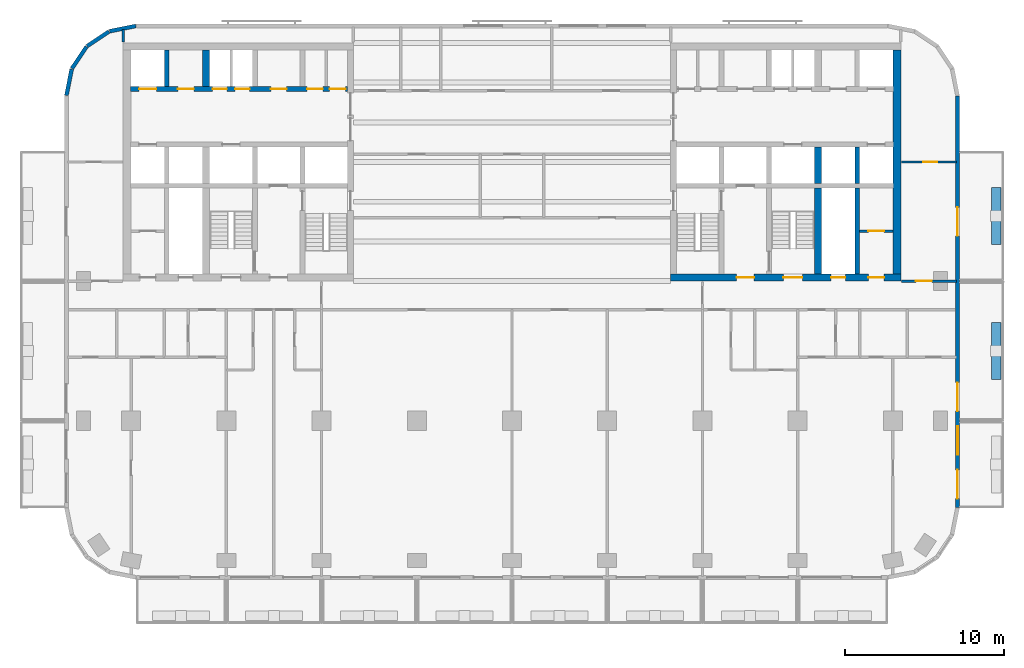
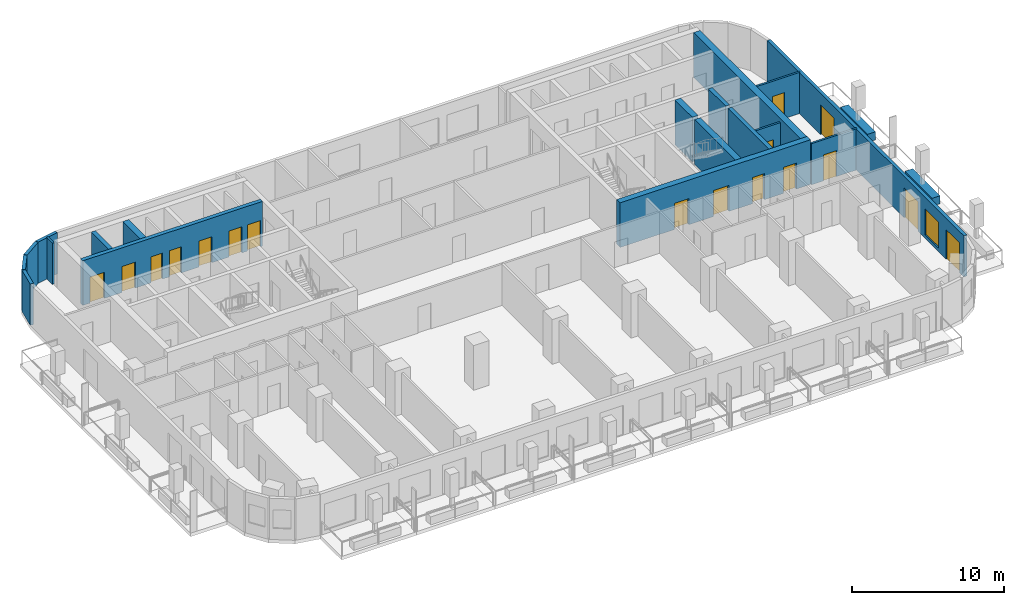
# One storey, part 6 of 11: 20 walls, 17 doors, 1 window, 18 openings.
"""IFC4 building model written with IfcOpenShell, lengths in metres."""

from ifc_helpers import new_model, si_unit, direction, frame, frame_2d, origin, place, context, subcontext, project, spatial, rectangle, extrude, material, layer, layer_set, type_object, element, fill, save


model = new_model("IFC4")

# Units and contexts
model_context = context("Model", 3, precision=1e-05, world=origin(), true_north=direction((0.0, 1.0)))
body_context = subcontext(model_context, "Body", "Model", "MODEL_VIEW")
ifc_project = project(units=[si_unit("LENGTHUNIT", "METRE"), si_unit("AREAUNIT", "SQUARE_METRE"), si_unit("VOLUMEUNIT", "CUBIC_METRE"), si_unit("PLANEANGLEUNIT", "RADIAN"), si_unit("MASSUNIT", "GRAM", prefix="KILO")], contexts=[model_context])

# Site, building, storey
site_placement = place(None, origin())
site = spatial("IfcSite", under=ifc_project, at=site_placement, CompositionType="ELEMENT")
building_placement = place(site_placement, origin())
building = spatial("IfcBuilding", under=site, at=building_placement, Name="Torana Hotel and Residences", CompositionType="ELEMENT")
storey_placement = place(building_placement, frame((0.0, 0.0, 116.39990234375)))
storey = spatial("IfcBuildingStorey", under=building, at=storey_placement, Name="L29", CompositionType="ELEMENT", Elevation=116.39990234375)

# Wall, openings, doors
ifc_material_1 = material(Name="Concrete C70/85", Category="concrete")
ifc_layer_1 = layer(ifc_material_1, 0.300048828125)
ifc_layer_set_1 = layer_set([ifc_layer_1], Name="CORE WALL 300 C70/85")
wall_type_1 = type_object("IfcWallType", Name="CORE WALL 300 C70/85", PredefinedType="SHEAR", material=ifc_layer_set_1)
wall_1_placement = place(storey_placement, frame((-24.050048828125, -2.89990234375, 0.0), z_axis=(0.0, 0.0, 1.0), x_axis=(1.0, 0.0, 0.0)))
wall_1 = element("IfcWall", 1, at=wall_1_placement, inside=storey, type_object=wall_type_1, Name="Core wall W row-N", PredefinedType="SHEAR", context=body_context, shape_type="SweptSolid", body=[
    extrude(rectangle(XDim=13.699951171875, YDim=0.300048828125, at=frame_2d((6.85009765625, 0.0))), origin(), (0.0, 0.0, 1.0), 3.60009765625),
])
opening_1_placement = place(wall_1_placement, frame((0.550048828125, 0.0, 0.0)))
opening_1 = element("IfcOpeningElement", 2, at=opening_1_placement, cuts=wall_1, Name="Opening LD", PredefinedType="OPENING", context=body_context, shape_type="SweptSolid", body=[
    extrude(rectangle(XDim=1.10009765625, YDim=2.10009765625, at=frame_2d((0.550048828125, 1.050048828125))), frame((0.0, 0.159912109375, 0.0), z_axis=(0.0, -1.0, 0.0), x_axis=(1.0, 0.0, 0.0)), (0.0, 0.0, 1.0), 0.320068359375),
])
opening_2_placement = place(wall_1_placement, frame((6.612548828125, 0.0, 0.0)))
opening_2 = element("IfcOpeningElement", 3, at=opening_2_placement, cuts=wall_1, Name="Opening L29-08", PredefinedType="OPENING", context=body_context, shape_type="SweptSolid", body=[
    extrude(rectangle(XDim=0.89990234375, YDim=2.10009765625, at=frame_2d((0.449951171875, 1.050048828125))), frame((0.0, 0.159912109375, 0.0), z_axis=(0.0, -1.0, 0.0), x_axis=(1.0, 0.0, 0.0)), (0.0, 0.0, 1.0), 0.320068359375),
])
opening_3_placement = place(wall_1_placement, frame((5.1875, 0.0, 0.0)))
opening_3 = element("IfcOpeningElement", 4, at=opening_3_placement, cuts=wall_1, Name="Opening L29-09", PredefinedType="OPENING", context=body_context, shape_type="SweptSolid", body=[
    extrude(rectangle(XDim=0.89990234375, YDim=2.10009765625, at=frame_2d((0.449951171875, 1.050048828125))), frame((0.0, 0.159912109375, 0.0), z_axis=(0.0, -1.0, 0.0), x_axis=(1.0, 0.0, 0.0)), (0.0, 0.0, 1.0), 0.320068359375),
])
opening_4_placement = place(wall_1_placement, frame((12.5625, 0.0, 0.0)))
opening_4 = element("IfcOpeningElement", 5, at=opening_4_placement, cuts=wall_1, Name="Opening L29-10", PredefinedType="OPENING", context=body_context, shape_type="SweptSolid", body=[
    extrude(rectangle(XDim=1.0, YDim=2.10009765625, at=frame_2d((0.5, 1.050048828125))), frame((0.0, 0.159912109375, 0.0), z_axis=(0.0, -1.0, 0.0), x_axis=(1.0, 0.0, 0.0)), (0.0, 0.0, 1.0), 0.320068359375),
])
opening_5_placement = place(wall_1_placement, frame((11.137451171875, 0.0, 0.0)))
opening_5 = element("IfcOpeningElement", 6, at=opening_5_placement, cuts=wall_1, Name="Opening L29-11", PredefinedType="OPENING", context=body_context, shape_type="SweptSolid", body=[
    extrude(rectangle(XDim=1.0, YDim=2.10009765625, at=frame_2d((0.5, 1.050048828125))), frame((0.0, 0.159912109375, 0.0), z_axis=(0.0, -1.0, 0.0), x_axis=(1.0, 0.0, 0.0)), (0.0, 0.0, 1.0), 0.320068359375),
])
opening_6_placement = place(wall_1_placement, frame((8.85009765625, 0.0, 0.0)))
opening_6 = element("IfcOpeningElement", 7, at=opening_6_placement, cuts=wall_1, Name="Opening L29-12", PredefinedType="OPENING", context=body_context, shape_type="SweptSolid", body=[
    extrude(rectangle(XDim=1.0, YDim=2.10009765625, at=frame_2d((0.5, 1.050048828125))), frame((0.0, 0.159912109375, 0.0), z_axis=(0.0, -1.0, 0.0), x_axis=(1.0, 0.0, 0.0)), (0.0, 0.0, 1.0), 0.320068359375),
])
opening_7_placement = place(wall_1_placement, frame((3.0, 0.0, 0.0)))
opening_7 = element("IfcOpeningElement", 8, at=opening_7_placement, cuts=wall_1, Name="Opening L29-13", PredefinedType="OPENING", context=body_context, shape_type="SweptSolid", body=[
    extrude(rectangle(XDim=1.0, YDim=2.10009765625, at=frame_2d((0.5, 1.050048828125))), frame((0.0, 0.159912109375, 0.0), z_axis=(0.0, -1.0, 0.0), x_axis=(1.0, 0.0, 0.0)), (0.0, 0.0, 1.0), 0.320068359375),
])
ifc_material_2 = material(Name="Steel S235", Category="steel")
door_type_1 = type_object("IfcDoorType", Name="CORE ROOM FIRE DOOR D14 1000x2100", OperationType="SINGLE_SWING_LEFT", PredefinedType="DOOR", material=ifc_material_2)
door_1_placement = place(opening_4_placement, origin())
door_1 = element("IfcDoor", 9, at=door_1_placement, inside=storey, type_object=door_type_1, Name="N0A door L29", OperationType="SINGLE_SWING_RIGHT", OverallHeight=2.10009765625, OverallWidth=1.0, PredefinedType="DOOR", context=body_context, shape_type="SweptSolid", body=[
    extrude(rectangle(XDim=1.0, YDim=2.10009765625, at=frame_2d((0.5, 1.050048828125))), frame((0.0, 0.02490234375, 0.0), z_axis=(0.0, -1.0, 0.0), x_axis=(1.0, 0.0, 0.0)), (0.0, 0.0, 1.0), 0.050048828125),
])
fill(opening_4, door_1)
door_2_placement = place(opening_5_placement, origin())
door_2 = element("IfcDoor", 10, at=door_2_placement, inside=storey, type_object=door_type_1, Name="N0B door L29", OperationType="SINGLE_SWING_RIGHT", OverallHeight=2.10009765625, OverallWidth=1.0, PredefinedType="DOOR", context=body_context, shape_type="SweptSolid", body=[
    extrude(rectangle(XDim=1.0, YDim=2.10009765625, at=frame_2d((0.5, 1.050048828125))), frame((0.0, 0.02490234375, 0.0), z_axis=(0.0, -1.0, 0.0), x_axis=(1.0, 0.0, 0.0)), (0.0, 0.0, 1.0), 0.050048828125),
])
fill(opening_5, door_2)
door_3_placement = place(opening_6_placement, origin())
door_3 = element("IfcDoor", 11, at=door_3_placement, inside=storey, type_object=door_type_1, Name="N1 door L29", OperationType="SINGLE_SWING_RIGHT", OverallHeight=2.10009765625, OverallWidth=1.0, PredefinedType="DOOR", context=body_context, shape_type="SweptSolid", body=[
    extrude(rectangle(XDim=1.0, YDim=2.10009765625, at=frame_2d((0.5, 1.050048828125))), frame((0.0, 0.02490234375, 0.0), z_axis=(0.0, -1.0, 0.0), x_axis=(1.0, 0.0, 0.0)), (0.0, 0.0, 1.0), 0.050048828125),
])
fill(opening_6, door_3)
door_4_placement = place(opening_7_placement, origin())
door_4 = element("IfcDoor", 12, at=door_4_placement, inside=storey, type_object=door_type_1, Name="Freed-S1 door L29", OperationType="SINGLE_SWING_RIGHT", OverallHeight=2.10009765625, OverallWidth=1.0, PredefinedType="DOOR", context=body_context, shape_type="SweptSolid", body=[
    extrude(rectangle(XDim=1.0, YDim=2.10009765625, at=frame_2d((0.5, 1.050048828125))), frame((0.0, 0.02490234375, 0.0), z_axis=(0.0, -1.0, 0.0), x_axis=(1.0, 0.0, 0.0)), (0.0, 0.0, 1.0), 0.050048828125),
])
fill(opening_7, door_4)
ifc_material_3 = material(Name="Stainless steel 316", Category="steel")
door_type_2 = type_object("IfcDoorType", Name="LIFT LANDING DOOR LD 1100x2100", OperationType="DOUBLE_DOOR_SLIDING", PredefinedType="USERDEFINED", material=ifc_material_3)
door_5_placement = place(opening_1_placement, origin())
door_5 = element("IfcDoor", 13, at=door_5_placement, inside=storey, type_object=door_type_2, Name="Lift landing door M1 L29", ObjectType="LIFT LANDING DOOR", OperationType="DOUBLE_DOOR_SLIDING", OverallHeight=2.10009765625, OverallWidth=1.10009765625, PredefinedType="USERDEFINED", context=body_context, shape_type="SweptSolid", body=[
    extrude(rectangle(XDim=1.10009765625, YDim=2.10009765625, at=frame_2d((0.550048828125, 1.050048828125))), frame((0.0, 0.02490234375, 0.0), z_axis=(0.0, -1.0, 0.0), x_axis=(1.0, 0.0, 0.0)), (0.0, 0.0, 1.0), 0.050048828125),
])
fill(opening_1, door_5)
ifc_material_4 = material(Name="Steel S235", Category="steel")
door_type_3 = type_object("IfcDoorType", Name="RISER ACCESS DOOR D5 900x2100", OperationType="SINGLE_SWING_LEFT", PredefinedType="DOOR", material=ifc_material_4)
door_6_placement = place(opening_2_placement, origin())
door_6 = element("IfcDoor", 14, at=door_6_placement, inside=storey, type_object=door_type_3, Name="N2A door L29", OperationType="SINGLE_SWING_RIGHT", OverallHeight=2.10009765625, OverallWidth=0.89990234375, PredefinedType="DOOR", context=body_context, shape_type="SweptSolid", body=[
    extrude(rectangle(XDim=0.89990234375, YDim=2.10009765625, at=frame_2d((0.449951171875, 1.050048828125))), frame((0.0, 0.02490234375, 0.0), z_axis=(0.0, -1.0, 0.0), x_axis=(1.0, 0.0, 0.0)), (0.0, 0.0, 1.0), 0.050048828125),
])
fill(opening_2, door_6)
door_7_placement = place(opening_3_placement, origin())
door_7 = element("IfcDoor", 15, at=door_7_placement, inside=storey, type_object=door_type_3, Name="N2B door L29", OperationType="SINGLE_SWING_RIGHT", OverallHeight=2.10009765625, OverallWidth=0.89990234375, PredefinedType="DOOR", context=body_context, shape_type="SweptSolid", body=[
    extrude(rectangle(XDim=0.89990234375, YDim=2.10009765625, at=frame_2d((0.449951171875, 1.050048828125))), frame((0.0, 0.02490234375, 0.0), z_axis=(0.0, -1.0, 0.0), x_axis=(1.0, 0.0, 0.0)), (0.0, 0.0, 1.0), 0.050048828125),
])
fill(opening_3, door_7)

# Walls
for number, where, z_axis, x_axis, name in (
    (16, (-21.75, -2.75, 0.0), (0.0, 0.0, 1.0), (0.0, 1.0, 0.0), "Core wall W mm-N"),
    (17, (21.75, -8.85009765625, 0.0), (0.0, 0.0, 1.0), (0.0, 1.0, 0.0), "Core wall E mm-S"),
):
    element("IfcWall", number, at=place(storey_placement, frame(where, z_axis=z_axis, x_axis=x_axis)), inside=storey, type_object=wall_type_1, Name=name, PredefinedType="SHEAR", context=body_context, shape_type="SweptSolid", body=[
        extrude(rectangle(XDim=2.300048828125, YDim=0.300048828125, at=frame_2d((1.14990234375, 0.0))), origin(), (0.0, 0.0, 1.0), 3.60009765625),
    ])
wall_2_placement = place(storey_placement, frame((21.75, -14.550048828125, 0.0), z_axis=(0.0, 0.0, 1.0), x_axis=(0.0, 1.0, 0.0)))
element("IfcWall", 18, at=wall_2_placement, inside=storey, type_object=wall_type_1, Name="Core wall E mm-band", PredefinedType="SHEAR", context=body_context, shape_type="SweptSolid", body=[
    extrude(rectangle(XDim=5.400146484375, YDim=0.300048828125, at=frame_2d((2.7001953125, 0.0))), origin(), (0.0, 0.0, 1.0), 3.60009765625),
])
ifc_material_5 = material(Name="Concrete C70/85", Category="concrete")
ifc_layer_2 = layer(ifc_material_5, 0.449951171875)
ifc_layer_set_2 = layer_set([ifc_layer_2], Name="CORE WALL 450 C70/85")
wall_type_2 = type_object("IfcWallType", Name="CORE WALL 450 C70/85", PredefinedType="SHEAR", material=ifc_layer_set_2)
wall_3_placement = place(storey_placement, frame((-19.27490234375, -2.75, 0.0), z_axis=(0.0, 0.0, 1.0), x_axis=(0.0, 1.0, 0.0)))
element("IfcWall", 19, at=wall_3_placement, inside=storey, type_object=wall_type_2, Name="Core wall W hm-N", PredefinedType="SHEAR", context=body_context, shape_type="SweptSolid", body=[
    extrude(rectangle(XDim=2.300048828125, YDim=0.449951171875, at=frame_2d((1.14990234375, 0.0))), origin(), (0.0, 0.0, 1.0), 3.60009765625),
])

# Wall, openings, doors
wall_4_placement = place(storey_placement, frame((10.0, -14.77490234375, 0.0), z_axis=(0.0, 0.0, 1.0), x_axis=(1.0, 0.0, 0.0)))
wall_4 = element("IfcWall", 20, at=wall_4_placement, inside=storey, type_object=wall_type_2, Name="Core wall E front", PredefinedType="SHEAR", context=body_context, shape_type="SweptSolid", body=[
    extrude(rectangle(XDim=14.5, YDim=0.449951171875, at=frame_2d((7.25, 0.0))), origin(), (0.0, 0.0, 1.0), 3.60009765625),
])
opening_8_placement = place(wall_4_placement, frame((7.10009765625, 0.0, 0.0)))
opening_8 = element("IfcOpeningElement", 21, at=opening_8_placement, cuts=wall_4, Name="Opening L29-19", PredefinedType="OPENING", context=body_context, shape_type="SweptSolid", body=[
    extrude(rectangle(XDim=1.199951171875, YDim=2.10009765625, at=frame_2d((0.60009765625, 1.050048828125))), frame((0.0, 0.23486328125, 0.0), z_axis=(0.0, -1.0, 0.0), x_axis=(1.0, 0.0, 0.0)), (0.0, 0.0, 1.0), 0.469970703125),
])
opening_9_placement = place(wall_4_placement, frame((4.14990234375, 0.0, 0.0)))
opening_9 = element("IfcOpeningElement", 22, at=opening_9_placement, cuts=wall_4, Name="Opening L29-20", PredefinedType="OPENING", context=body_context, shape_type="SweptSolid", body=[
    extrude(rectangle(XDim=1.10009765625, YDim=2.10009765625, at=frame_2d((0.550048828125, 1.050048828125))), frame((0.0, 0.23486328125, 0.0), z_axis=(0.0, -1.0, 0.0), x_axis=(1.0, 0.0, 0.0)), (0.0, 0.0, 1.0), 0.469970703125),
])
opening_10_placement = place(wall_4_placement, frame((10.10009765625, 0.0, 0.0)))
opening_10 = element("IfcOpeningElement", 23, at=opening_10_placement, cuts=wall_4, Name="Opening L29-21", PredefinedType="OPENING", context=body_context, shape_type="SweptSolid", body=[
    extrude(rectangle(XDim=0.89990234375, YDim=2.10009765625, at=frame_2d((0.449951171875, 1.050048828125))), frame((0.0, 0.23486328125, 0.0), z_axis=(0.0, -1.0, 0.0), x_axis=(1.0, 0.0, 0.0)), (0.0, 0.0, 1.0), 0.469970703125),
])
opening_11_placement = place(wall_4_placement, frame((12.449951171875, 0.0, 0.0)))
opening_11 = element("IfcOpeningElement", 24, at=opening_11_placement, cuts=wall_4, Name="Opening L29-22", PredefinedType="OPENING", context=body_context, shape_type="SweptSolid", body=[
    extrude(rectangle(XDim=1.0, YDim=2.10009765625, at=frame_2d((0.5, 1.050048828125))), frame((0.0, 0.23486328125, 0.0), z_axis=(0.0, -1.0, 0.0), x_axis=(1.0, 0.0, 0.0)), (0.0, 0.0, 1.0), 0.469970703125),
])
door_8_placement = place(opening_11_placement, origin())
door_8 = element("IfcDoor", 25, at=door_8_placement, inside=storey, type_object=door_type_1, Name="M-Room-B door L29", OperationType="SINGLE_SWING_RIGHT", OverallHeight=2.10009765625, OverallWidth=1.0, PredefinedType="DOOR", context=body_context, shape_type="SweptSolid", body=[
    extrude(rectangle(XDim=1.0, YDim=2.10009765625, at=frame_2d((0.5, 1.050048828125))), frame((0.0, 0.02490234375, 0.0), z_axis=(0.0, -1.0, 0.0), x_axis=(1.0, 0.0, 0.0)), (0.0, 0.0, 1.0), 0.050048828125),
])
fill(opening_11, door_8)
ifc_material_6 = material(Name="Steel S235", Category="steel")
door_type_4 = type_object("IfcDoorType", Name="FIRE-FIGHTING LOBBY DOOR D8 1100x2100", OperationType="SINGLE_SWING_LEFT", PredefinedType="DOOR", material=ifc_material_6)
door_9_placement = place(opening_9_placement, origin())
door_9 = element("IfcDoor", 26, at=door_9_placement, inside=storey, type_object=door_type_4, Name="FF-lobby door L29", OperationType="SINGLE_SWING_RIGHT", OverallHeight=2.10009765625, OverallWidth=1.10009765625, PredefinedType="DOOR", context=body_context, shape_type="SweptSolid", body=[
    extrude(rectangle(XDim=1.10009765625, YDim=2.10009765625, at=frame_2d((0.550048828125, 1.050048828125))), frame((0.0, 0.02490234375, 0.0), z_axis=(0.0, -1.0, 0.0), x_axis=(1.0, 0.0, 0.0)), (0.0, 0.0, 1.0), 0.050048828125),
])
fill(opening_9, door_9)
door_10_placement = place(opening_10_placement, origin())
door_10 = element("IfcDoor", 27, at=door_10_placement, inside=storey, type_object=door_type_3, Name="M-Riser door L29", OperationType="SINGLE_SWING_RIGHT", OverallHeight=2.10009765625, OverallWidth=0.89990234375, PredefinedType="DOOR", context=body_context, shape_type="SweptSolid", body=[
    extrude(rectangle(XDim=0.89990234375, YDim=2.10009765625, at=frame_2d((0.449951171875, 1.050048828125))), frame((0.0, 0.02490234375, 0.0), z_axis=(0.0, -1.0, 0.0), x_axis=(1.0, 0.0, 0.0)), (0.0, 0.0, 1.0), 0.050048828125),
])
fill(opening_10, door_10)
ifc_material_7 = material(Name="Steel S235", Category="steel")
door_type_5 = type_object("IfcDoorType", Name="STAIR FIRE DOOR D3 1200x2100", OperationType="SINGLE_SWING_LEFT", PredefinedType="DOOR", material=ifc_material_7)
door_11_placement = place(opening_8_placement, origin())
door_11 = element("IfcDoor", 28, at=door_11_placement, inside=storey, type_object=door_type_5, Name="Stair-B door L29", OperationType="SINGLE_SWING_RIGHT", OverallHeight=2.10009765625, OverallWidth=1.199951171875, PredefinedType="DOOR", context=body_context, shape_type="SweptSolid", body=[
    extrude(rectangle(XDim=1.199951171875, YDim=2.10009765625, at=frame_2d((0.60009765625, 1.050048828125))), frame((0.0, 0.02490234375, 0.0), z_axis=(0.0, -1.0, 0.0), x_axis=(1.0, 0.0, 0.0)), (0.0, 0.0, 1.0), 0.050048828125),
])
fill(opening_8, door_11)

# Walls
wall_5_placement = place(storey_placement, frame((19.27490234375, -8.85009765625, 0.0), z_axis=(0.0, 0.0, 1.0), x_axis=(0.0, 1.0, 0.0)))
element("IfcWall", 29, at=wall_5_placement, inside=storey, type_object=wall_type_2, Name="Core wall E hm-S", PredefinedType="SHEAR", context=body_context, shape_type="SweptSolid", body=[
    extrude(rectangle(XDim=2.300048828125, YDim=0.449951171875, at=frame_2d((1.14990234375, 0.0))), origin(), (0.0, 0.0, 1.0), 3.60009765625),
])
wall_6_placement = place(storey_placement, frame((19.27490234375, -14.550048828125, 0.0), z_axis=(0.0, 0.0, 1.0), x_axis=(0.0, 1.0, 0.0)))
element("IfcWall", 30, at=wall_6_placement, inside=storey, type_object=wall_type_2, Name="Core wall E hm-band", PredefinedType="SHEAR", context=body_context, shape_type="SweptSolid", body=[
    extrude(rectangle(XDim=5.400146484375, YDim=0.449951171875, at=frame_2d((2.7001953125, 0.0))), origin(), (0.0, 0.0, 1.0), 3.60009765625),
])
ifc_material_8 = material(Name="Concrete C70/85", Category="concrete")
ifc_layer_3 = layer(ifc_material_8, 0.5)
ifc_layer_set_3 = layer_set([ifc_layer_3], Name="CORE WALL 500 C70/85")
wall_type_3 = type_object("IfcWallType", Name="CORE WALL 500 C70/85", PredefinedType="SHEAR", material=ifc_layer_set_3)
wall_7_placement = place(storey_placement, frame((24.25, -14.550048828125, 0.0), z_axis=(0.0, 0.0, 1.0), x_axis=(0.0, 1.0, 0.0)))
element("IfcWall", 31, at=wall_7_placement, inside=storey, type_object=wall_type_3, Name="Core wall E outer", PredefinedType="SHEAR", context=body_context, shape_type="SweptSolid", body=[
    extrude(rectangle(XDim=14.10009765625, YDim=0.5, at=frame_2d((7.050048828125, 0.0))), origin(), (0.0, 0.0, 1.0), 3.60009765625),
])
ifc_material_9 = material(Name="Black aluminium composite panel", Category="aluminium")
ifc_layer_4 = layer(ifc_material_9, 0.00390625, Name="Cladding", Category="cladding")
ifc_material_10 = material(Name="Ventilated air cavity")
ifc_layer_5 = layer(ifc_material_10, 0.0400390625, Name="Ventilated cavity", Category="cavity")
ifc_material_11 = material(Name="Mineral wool insulation")
ifc_layer_6 = layer(ifc_material_11, 0.090087890625, Name="Insulation", Category="insulation")
ifc_material_12 = material(Name="Steel S280GD", Category="steel")
ifc_layer_7 = layer(ifc_material_12, 0.092041015625, Name="Steel stud frame", Category="structure")
ifc_material_13 = material(Name="Fire rated plasterboard")
ifc_layer_8 = layer(ifc_material_13, 0.011962890625, Name="Inner board", Category="finish")
ifc_layer_9 = layer(ifc_material_13, 0.011962890625, Name="Second board", Category="finish")
ifc_layer_set_4 = layer_set([ifc_layer_4, ifc_layer_5, ifc_layer_6, ifc_layer_7, ifc_layer_8, ifc_layer_9], Name="EW1 EXTERNAL WALL BLACK METAL CLAD 250")
wall_type_4 = type_object("IfcWallType", Name="EW1 EXTERNAL WALL BLACK METAL CLAD 250", PredefinedType="SOLIDWALL", material=ifc_layer_set_4)
wall_8_placement = place(storey_placement, frame((-23.69970703125, 1.072509765625, 0.0), z_axis=(0.0, 0.0, 1.0), x_axis=(-0.980803419081, -0.194999110559, 0.0)))
element("IfcWall", 32, at=wall_8_placement, inside=storey, type_object=wall_type_4, Name="External wall L29 e0.5", PredefinedType="SOLIDWALL", context=body_context, shape_type="SweptSolid", body=[
    extrude(rectangle(XDim=1.681396484375, YDim=0.25, at=frame_2d((0.8408203125, 0.0))), origin(), (0.0, 0.0, 1.0), 3.320068359375),
])
for number, where, z_axis, x_axis, name in (
    (33, (-25.39404296875, 0.725830078125, 0.0), (0.0, 0.0, 1.0), (-0.831482937015, -0.55555029066, 0.0), "External wall L29 e0.6"),
    (34, (-26.8056640625, -0.228759765625, 0.0), (0.0, 0.0, 1.0), (-0.55555029066, -0.831482937015, 0.0), "External wall L29 e0.7"),
):
    element("IfcWall", number, at=place(storey_placement, frame(where, z_axis=z_axis, x_axis=x_axis)), inside=storey, type_object=wall_type_4, Name=name, PredefinedType="SOLIDWALL", context=body_context, shape_type="SweptSolid", body=[
        extrude(rectangle(XDim=1.65625, YDim=0.25, at=frame_2d((0.828125, 0.0))), origin(), (0.0, 0.0, 1.0), 3.320068359375),
    ])
wall_9_placement = place(storey_placement, frame((-27.74462890625, -1.651123046875, 0.0), z_axis=(0.0, 0.0, 1.0), x_axis=(-0.194999110559, -0.980803419081, 0.0)))
element("IfcWall", 35, at=wall_9_placement, inside=storey, type_object=wall_type_4, Name="External wall L29 e0.8", PredefinedType="SOLIDWALL", context=body_context, shape_type="SweptSolid", body=[
    extrude(rectangle(XDim=1.681396484375, YDim=0.25, at=frame_2d((0.8408203125, 0.0))), origin(), (0.0, 0.0, 1.0), 3.320068359375),
])

# Wall, openings, doors, window
wall_10_placement = place(storey_placement, frame((28.074951171875, -29.275390625, 0.0), z_axis=(0.0, 0.0, 1.0), x_axis=(0.0, 1.0, 0.0)))
wall_10 = element("IfcWall", 36, at=wall_10_placement, inside=storey, type_object=wall_type_4, Name="External wall L29 e0.19", PredefinedType="SOLIDWALL", context=body_context, shape_type="SweptSolid", body=[
    extrude(rectangle(XDim=25.95068359375, YDim=0.25, at=frame_2d((12.975341796875, 0.0))), origin(), (0.0, 0.0, 1.0), 3.320068359375),
])
opening_12_placement = place(wall_10_placement, frame((0.575439453125, 0.0, 0.0)))
opening_12 = element("IfcOpeningElement", 37, at=opening_12_placement, cuts=wall_10, Name="Opening L29-E09", PredefinedType="OPENING", context=body_context, shape_type="SweptSolid", body=[
    extrude(rectangle(XDim=1.800048828125, YDim=2.39990234375, at=frame_2d((0.89990234375, 1.199951171875))), frame((0.0, 0.135009765625, 0.0), z_axis=(0.0, -1.0, 0.0), x_axis=(1.0, 0.0, 0.0)), (0.0, 0.0, 1.0), 0.27001953125),
])
opening_13_placement = place(wall_10_placement, frame((3.325439453125, 0.0, 0.300048828125)))
opening_13 = element("IfcOpeningElement", 38, at=opening_13_placement, cuts=wall_10, Name="Opening W2", PredefinedType="OPENING", context=body_context, shape_type="SweptSolid", body=[
    extrude(rectangle(XDim=1.800048828125, YDim=2.10009765625, at=frame_2d((0.89990234375, 1.050048828125))), frame((0.0, 0.135009765625, 0.0), z_axis=(0.0, -1.0, 0.0), x_axis=(1.0, 0.0, 0.0)), (0.0, 0.0, 1.0), 0.27001953125),
])
opening_14_placement = place(wall_10_placement, frame((6.075439453125, 0.0, 0.0)))
opening_14 = element("IfcOpeningElement", 39, at=opening_14_placement, cuts=wall_10, Name="Opening L29-E10", PredefinedType="OPENING", context=body_context, shape_type="SweptSolid", body=[
    extrude(rectangle(XDim=1.800048828125, YDim=2.39990234375, at=frame_2d((0.89990234375, 1.199951171875))), frame((0.0, 0.135009765625, 0.0), z_axis=(0.0, -1.0, 0.0), x_axis=(1.0, 0.0, 0.0)), (0.0, 0.0, 1.0), 0.27001953125),
])
opening_15_placement = place(wall_10_placement, frame((17.12548828125, 0.0, 0.0)))
opening_15 = element("IfcOpeningElement", 40, at=opening_15_placement, cuts=wall_10, Name="Opening L29-E11", PredefinedType="OPENING", context=body_context, shape_type="SweptSolid", body=[
    extrude(rectangle(XDim=1.800048828125, YDim=2.39990234375, at=frame_2d((0.89990234375, 1.199951171875))), frame((0.0, 0.135009765625, 0.0), z_axis=(0.0, -1.0, 0.0), x_axis=(1.0, 0.0, 0.0)), (0.0, 0.0, 1.0), 0.27001953125),
])
ifc_material_14 = material(Name="Dark glass in black aluminium frame", Category="aluminium")
door_type_6 = type_object("IfcDoorType", Name="DB1 BALCONY DOOR 1800x2400", OperationType="DOUBLE_DOOR_SINGLE_SWING", PredefinedType="DOOR", material=ifc_material_14)
door_12_placement = place(opening_12_placement, origin())
door_12 = element("IfcDoor", 41, at=door_12_placement, inside=storey, type_object=door_type_6, Name="Balcony door L29", OperationType="DOUBLE_DOOR_SINGLE_SWING", OverallHeight=2.39990234375, OverallWidth=1.800048828125, PredefinedType="DOOR", context=body_context, shape_type="SweptSolid", body=[
    extrude(rectangle(XDim=1.800048828125, YDim=2.39990234375, at=frame_2d((0.89990234375, 1.199951171875))), frame((0.0, 0.02490234375, 0.0), z_axis=(0.0, -1.0, 0.0), x_axis=(1.0, 0.0, 0.0)), (0.0, 0.0, 1.0), 0.050048828125),
])
fill(opening_12, door_12)
door_13_placement = place(opening_14_placement, origin())
door_13 = element("IfcDoor", 42, at=door_13_placement, inside=storey, type_object=door_type_6, Name="Balcony door L29", OperationType="DOUBLE_DOOR_SINGLE_SWING", OverallHeight=2.39990234375, OverallWidth=1.800048828125, PredefinedType="DOOR", context=body_context, shape_type="SweptSolid", body=[
    extrude(rectangle(XDim=1.800048828125, YDim=2.39990234375, at=frame_2d((0.89990234375, 1.199951171875))), frame((0.0, 0.02490234375, 0.0), z_axis=(0.0, -1.0, 0.0), x_axis=(1.0, 0.0, 0.0)), (0.0, 0.0, 1.0), 0.050048828125),
])
fill(opening_14, door_13)
door_14_placement = place(opening_15_placement, origin())
door_14 = element("IfcDoor", 43, at=door_14_placement, inside=storey, type_object=door_type_6, Name="Balcony door L29", OperationType="DOUBLE_DOOR_SINGLE_SWING", OverallHeight=2.39990234375, OverallWidth=1.800048828125, PredefinedType="DOOR", context=body_context, shape_type="SweptSolid", body=[
    extrude(rectangle(XDim=1.800048828125, YDim=2.39990234375, at=frame_2d((0.89990234375, 1.199951171875))), frame((0.0, 0.02490234375, 0.0), z_axis=(0.0, -1.0, 0.0), x_axis=(1.0, 0.0, 0.0)), (0.0, 0.0, 1.0), 0.050048828125),
])
fill(opening_15, door_14)
ifc_material_15 = material(Name="Dark glass in black aluminium frame", Category="aluminium")
window_type = type_object("IfcWindowType", Name="W2 HOTEL ROOM WINDOW NARROW 1800x2100", PartitioningType="SINGLE_PANEL", PredefinedType="WINDOW", material=ifc_material_15)
window_placement = place(opening_13_placement, origin())
window = element("IfcWindow", 44, at=window_placement, inside=storey, type_object=window_type, Name="Window L29", OverallHeight=2.10009765625, OverallWidth=1.800048828125, PartitioningType="SINGLE_PANEL", PredefinedType="WINDOW", context=body_context, shape_type="SweptSolid", body=[
    extrude(rectangle(XDim=1.800048828125, YDim=2.10009765625, at=frame_2d((0.89990234375, 1.050048828125))), frame((0.0, 0.030029296875, 0.0), z_axis=(0.0, -1.0, 0.0), x_axis=(1.0, 0.0, 0.0)), (0.0, 0.0, 1.0), 0.06005859375),
])
fill(opening_13, window)

# Wall, opening, door
ifc_material_16 = material(Name="Gypsum plaster")
ifc_layer_10 = layer(ifc_material_16, 0.014892578125, Name="Plaster", Category="finish")
ifc_material_17 = material(Name="Concrete blockwork", Category="masonry")
ifc_layer_11 = layer(ifc_material_17, 0.1201171875, Name="Blockwork", Category="structure")
ifc_layer_12 = layer(ifc_material_16, 0.014892578125, Name="Plaster", Category="finish")
ifc_layer_set_5 = layer_set([ifc_layer_10, ifc_layer_11, ifc_layer_12], Name="FIRE PARTITION 150 BLOCKWORK")
wall_type_5 = type_object("IfcWallType", Name="FIRE PARTITION 150 BLOCKWORK", PredefinedType="PARTITIONING", material=ifc_layer_set_5)
wall_11_placement = place(storey_placement, frame((21.89990234375, -11.85009765625, 0.0), z_axis=(0.0, 0.0, 1.0), x_axis=(1.0, 0.0, 0.0)))
wall_11 = element("IfcWall", 45, at=wall_11_placement, inside=storey, type_object=wall_type_5, Name="Core partition L29", PredefinedType="PARTITIONING", context=body_context, shape_type="SweptSolid", body=[
    extrude(rectangle(XDim=2.10009765625, YDim=0.14990234375, at=frame_2d((1.050048828125, 0.0))), origin(), (0.0, 0.0, 1.0), 3.300048828125),
])
opening_16_placement = place(wall_11_placement, frame((0.550048828125, 0.0, 0.0)))
opening_16 = element("IfcOpeningElement", 46, at=opening_16_placement, cuts=wall_11, Name="Opening L29-32", PredefinedType="OPENING", context=body_context, shape_type="SweptSolid", body=[
    extrude(rectangle(XDim=1.0, YDim=2.10009765625, at=frame_2d((0.5, 1.050048828125))), frame((0.0, 0.0849609375, 0.0), z_axis=(0.0, -1.0, 0.0), x_axis=(1.0, 0.0, 0.0)), (0.0, 0.0, 1.0), 0.169921875),
])
door_15_placement = place(opening_16_placement, origin())
door_15 = element("IfcDoor", 47, at=door_15_placement, inside=storey, type_object=door_type_1, Name="Plant room door L29", OperationType="SINGLE_SWING_RIGHT", OverallHeight=2.10009765625, OverallWidth=1.0, PredefinedType="DOOR", context=body_context, shape_type="SweptSolid", body=[
    extrude(rectangle(XDim=1.0, YDim=2.10009765625, at=frame_2d((0.5, 1.050048828125))), frame((0.0, 0.02490234375, 0.0), z_axis=(0.0, -1.0, 0.0), x_axis=(1.0, 0.0, 0.0)), (0.0, 0.0, 1.0), 0.050048828125),
])
fill(opening_16, door_15)

wall_12_placement = place(storey_placement, frame((24.550048828125, -15.0, 0.0), z_axis=(0.0, 0.0, 1.0), x_axis=(1.0, 0.0, 0.0)))
wall_12 = element("IfcWall", 48, at=wall_12_placement, inside=storey, type_object=wall_type_5, Name="Partition L29", PredefinedType="PARTITIONING", context=body_context, shape_type="SweptSolid", body=[
    extrude(rectangle(XDim=3.469970703125, YDim=0.14990234375, at=frame_2d((1.73486328125, 0.0))), origin(), (0.0, 0.0, 1.0), 3.320068359375),
])
opening_17_placement = place(wall_12_placement, frame((0.89990234375, 0.0, 0.0)))
opening_17 = element("IfcOpeningElement", 49, at=opening_17_placement, cuts=wall_12, Name="Opening L29-41", PredefinedType="OPENING", context=body_context, shape_type="SweptSolid", body=[
    extrude(rectangle(XDim=1.0, YDim=2.10009765625, at=frame_2d((0.5, 1.050048828125))), frame((0.0, 0.0849609375, 0.0), z_axis=(0.0, -1.0, 0.0), x_axis=(1.0, 0.0, 0.0)), (0.0, 0.0, 1.0), 0.169921875),
])
door_16_placement = place(opening_17_placement, origin())
door_16 = element("IfcDoor", 50, at=door_16_placement, inside=storey, type_object=door_type_1, Name="Door L29", OperationType="SINGLE_SWING_LEFT", OverallHeight=2.10009765625, OverallWidth=1.0, PredefinedType="DOOR", context=body_context, shape_type="SweptSolid", body=[
    extrude(rectangle(XDim=1.0, YDim=2.10009765625, at=frame_2d((0.5, 1.050048828125))), frame((0.0, 0.02490234375, 0.0), z_axis=(0.0, -1.0, 0.0), x_axis=(1.0, 0.0, 0.0)), (0.0, 0.0, 1.0), 0.050048828125),
])
fill(opening_17, door_16)

# Walls
ifc_material_18 = material(Name="Gypsum plasterboard")
ifc_layer_13 = layer(ifc_material_18, 0.012451171875, Name="Plasterboard", Category="finish")
ifc_layer_14 = layer(ifc_material_18, 0.012451171875, Name="Plasterboard", Category="finish")
ifc_layer_15 = layer(ifc_material_12, 0.10009765625, Name="Steel studs with mineral wool", Category="insulation")
ifc_layer_16 = layer(ifc_material_18, 0.012451171875, Name="Plasterboard", Category="finish")
ifc_layer_17 = layer(ifc_material_18, 0.012451171875, Name="Plasterboard", Category="finish")
ifc_layer_set_6 = layer_set([ifc_layer_13, ifc_layer_14, ifc_layer_15, ifc_layer_16, ifc_layer_17], Name="PARTITION 150 PLASTERBOARD")
wall_type_6 = type_object("IfcWallType", Name="PARTITION 150 PLASTERBOARD", PredefinedType="PARTITIONING", material=ifc_layer_set_6)
wall_13_placement = place(storey_placement, frame((-24.5, 0.050048828125, 0.0), z_axis=(0.0, 0.0, 1.0), x_axis=(0.0, 1.0, 0.0)))
element("IfcWall", 51, at=wall_13_placement, inside=storey, type_object=wall_type_6, Name="Partition L29", PredefinedType="PARTITIONING", context=body_context, shape_type="SweptSolid", body=[
    extrude(rectangle(XDim=0.807373046875, YDim=0.14990234375, at=frame_2d((0.40380859375, 0.0))), origin(), (0.0, 0.0, 1.0), 3.320068359375),
])
ifc_material_19 = material(Name="Concrete C40/50 precast", Category="concrete")
ifc_layer_18 = layer(ifc_material_19, 0.10009765625, Name="Planter shell", Category="structure")
ifc_material_20 = material(Name="Root resistant membrane")
ifc_layer_19 = layer(ifc_material_20, 0.00390625, Name="Waterproofing membrane", Category="membrane")
ifc_material_21 = material(Name="Drainage board with filter fleece")
ifc_layer_20 = layer(ifc_material_21, 0.02001953125, Name="Drainage board", Category="drainage")
ifc_material_22 = material(Name="Growing medium")
ifc_layer_21 = layer(ifc_material_22, 0.47607421875, Name="Planting substrate", Category="soil")
ifc_layer_set_7 = layer_set([ifc_layer_18, ifc_layer_19, ifc_layer_20, ifc_layer_21], Name="PL1 BALCONY PLANTER 600")
wall_type_7 = type_object("IfcWallType", Name="PL1 BALCONY PLANTER 600", PredefinedType="USERDEFINED", material=ifc_layer_set_7)
for number, where, z_axis, x_axis, name in (
    (52, (30.5, -17.60009765625, 0.0), (0.0, 0.0, 1.0), (0.0, -1.0, 0.0), "Planter 13"),
    (53, (30.5, -9.10009765625, 0.0), (0.0, 0.0, 1.0), (0.0, -1.0, 0.0), "Planter 14"),
):
    element("IfcWall", number, at=place(storey_placement, frame(where, z_axis=z_axis, x_axis=x_axis)), inside=storey, type_object=wall_type_7, Name=name, ObjectType="PLANTER", PredefinedType="USERDEFINED", context=body_context, shape_type="SweptSolid", body=[
        extrude(rectangle(XDim=3.599853515625, YDim=0.60009765625, at=frame_2d((1.7998046875, 0.0))), origin(), (0.0, 0.0, 1.0), 0.650146484375),
    ])

# Wall, opening, door
ifc_material_23 = material(Name="Ceramic tile on adhesive")
ifc_layer_22 = layer(ifc_material_23, 0.010009765625, Name="Wall tile", Category="finish")
ifc_material_24 = material(Name="Cement render")
ifc_layer_23 = layer(ifc_material_24, 0.010009765625, Name="Render", Category="finish")
ifc_layer_24 = layer(ifc_material_17, 0.110107421875, Name="Blockwork", Category="structure")
ifc_layer_25 = layer(ifc_material_24, 0.010009765625, Name="Render", Category="finish")
ifc_layer_26 = layer(ifc_material_23, 0.010009765625, Name="Wall tile", Category="finish")
ifc_layer_set_8 = layer_set([ifc_layer_22, ifc_layer_23, ifc_layer_24, ifc_layer_25, ifc_layer_26], Name="WC PARTITION 150")
wall_type_8 = type_object("IfcWallType", Name="WC PARTITION 150", PredefinedType="PLUMBINGWALL", material=ifc_layer_set_8)
wall_14_placement = place(storey_placement, frame((24.550048828125, -7.5, 0.0), z_axis=(0.0, 0.0, 1.0), x_axis=(1.0, 0.0, 0.0)))
wall_14 = element("IfcWall", 54, at=wall_14_placement, inside=storey, type_object=wall_type_8, Name="Partition L29", PredefinedType="PLUMBINGWALL", context=body_context, shape_type="SweptSolid", body=[
    extrude(rectangle(XDim=3.469970703125, YDim=0.14990234375, at=frame_2d((1.73486328125, 0.0))), origin(), (0.0, 0.0, 1.0), 3.320068359375),
])
opening_18_placement = place(wall_14_placement, frame((1.35009765625, 0.0, 0.0)))
opening_18 = element("IfcOpeningElement", 55, at=opening_18_placement, cuts=wall_14, Name="Opening L29-68", PredefinedType="OPENING", context=body_context, shape_type="SweptSolid", body=[
    extrude(rectangle(XDim=0.89990234375, YDim=2.10009765625, at=frame_2d((0.449951171875, 1.050048828125))), frame((0.0, 0.0849609375, 0.0), z_axis=(0.0, -1.0, 0.0), x_axis=(1.0, 0.0, 0.0)), (0.0, 0.0, 1.0), 0.169921875),
])
ifc_material_25 = material(Name="Timber door, oiled ash", Category="wood")
door_type_7 = type_object("IfcDoorType", Name="ROOM DOOR D7 900x2100", OperationType="SINGLE_SWING_LEFT", PredefinedType="DOOR", material=ifc_material_25)
door_17_placement = place(opening_18_placement, origin())
door_17 = element("IfcDoor", 56, at=door_17_placement, inside=storey, type_object=door_type_7, Name="Door L29", OperationType="SINGLE_SWING_LEFT", OverallHeight=2.10009765625, OverallWidth=0.89990234375, PredefinedType="DOOR", context=body_context, shape_type="SweptSolid", body=[
    extrude(rectangle(XDim=0.89990234375, YDim=2.10009765625, at=frame_2d((0.449951171875, 1.050048828125))), frame((0.0, 0.02490234375, 0.0), z_axis=(0.0, -1.0, 0.0), x_axis=(1.0, 0.0, 0.0)), (0.0, 0.0, 1.0), 0.050048828125),
])
fill(opening_18, door_17)

save(model, "model.ifc")
